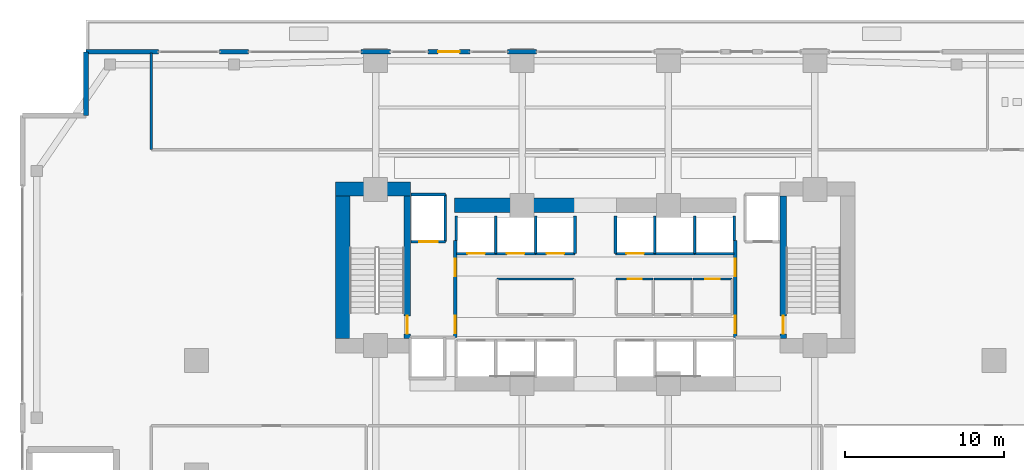
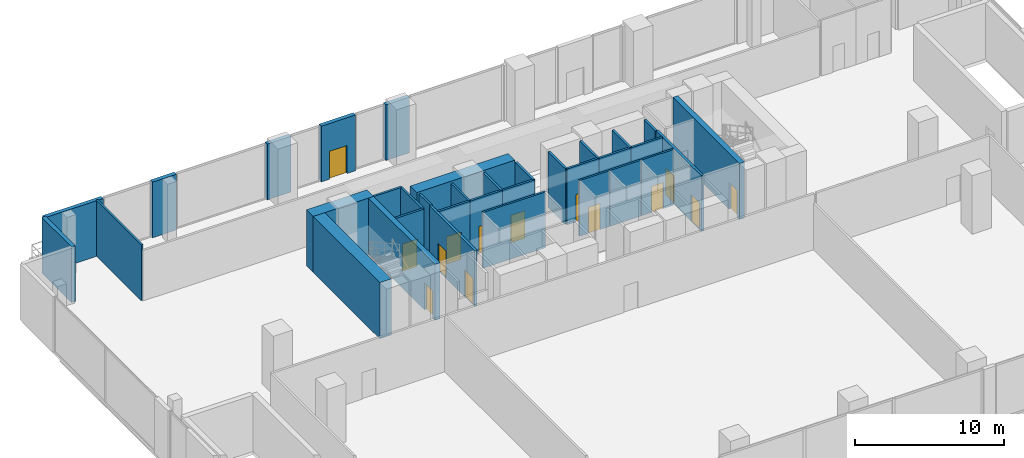
# One storey, part 22 of 28: 35 walls, 14 doors, 14 openings.
"""IFC4 building model written with IfcOpenShell, lengths in metres."""

from ifc_helpers import new_model, si_unit, direction, frame, frame_2d, origin, place, context, subcontext, project, spatial, rectangle, extrude, material, layer, layer_set, type_object, element, fill, save


model = new_model("IFC4")

# Units and contexts
model_context = context("Model", 3, precision=1e-05, world=origin(), true_north=direction((0.0, 1.0)))
body_context = subcontext(model_context, "Body", "Model", "MODEL_VIEW")
ifc_project = project(units=[si_unit("LENGTHUNIT", "METRE"), si_unit("AREAUNIT", "SQUARE_METRE"), si_unit("VOLUMEUNIT", "CUBIC_METRE"), si_unit("PLANEANGLEUNIT", "RADIAN"), si_unit("MASSUNIT", "GRAM", prefix="KILO")], contexts=[model_context])

# Site, building, storey
site_placement = place(None, origin())
site = spatial("IfcSite", under=ifc_project, at=site_placement, CompositionType="ELEMENT")
building_placement = place(site_placement, origin())
building = spatial("IfcBuilding", under=site, at=building_placement, Name="Zuhayl Quay Hotel", CompositionType="ELEMENT")
storey_placement = place(building_placement, frame((0.0, 0.0, 22.800048828125)))
storey = spatial("IfcBuildingStorey", under=building, at=storey_placement, Name="L04", CompositionType="ELEMENT", Elevation=22.800048828125)

# Walls
ifc_material_1 = material(Name="Concrete C70/85", Category="concrete")
ifc_layer_1 = layer(ifc_material_1, 0.89990234375, Name="Concrete C70/85", Category="concrete")
ifc_layer_set_1 = layer_set([ifc_layer_1], Name="Concrete C70/85")
wall_type_1 = type_object("IfcWallType", Name="WL_CORE_900", PredefinedType="SHEAR", material=ifc_layer_set_1)
wall_1_placement = place(storey_placement, frame((-16.31005859375, 14.3798828125, 0.0), z_axis=(0.0, 0.0, 1.0), x_axis=(1.0, 0.0, 0.0)))
element("IfcWall", 1, at=wall_1_placement, inside=storey, type_object=wall_type_1, Name="L04 Core Shear Wall CW_NW", PredefinedType="SHEAR", context=body_context, shape_type="SweptSolid", body=[
    extrude(rectangle(XDim=4.7099609375, YDim=0.89990234375, at=frame_2d((2.35498046875, 0.0))), origin(), (0.0, 0.0, 1.0), 4.60986328125),
])
wall_2_placement = place(storey_placement, frame((-15.860107421875, 4.969970703125, 0.0), z_axis=(0.0, 0.0, 1.0), x_axis=(0.0, 1.0, 0.0)))
element("IfcWall", 2, at=wall_2_placement, inside=storey, type_object=wall_type_1, Name="L04 Core Shear Wall CW_W", PredefinedType="SHEAR", context=body_context, shape_type="SweptSolid", body=[
    extrude(rectangle(XDim=8.9599609375, YDim=0.89990234375, at=frame_2d((4.47998046875, 0.0))), origin(), (0.0, 0.0, 1.0), 4.60986328125),
])
wall_3_placement = place(storey_placement, frame((-8.85009765625, 13.35009765625, 0.0), z_axis=(0.0, 0.0, 1.0), x_axis=(1.0, 0.0, 0.0)))
element("IfcWall", 3, at=wall_3_placement, inside=storey, type_object=wall_type_1, Name="L04 Core Shear Wall CW_NC_W", PredefinedType="SHEAR", context=body_context, shape_type="SweptSolid", body=[
    extrude(rectangle(XDim=7.60009765625, YDim=0.89990234375, at=frame_2d((3.800048828125, 0.0))), origin(), (0.0, 0.0, 1.0), 4.579833984375),
])
ifc_material_2 = material(Name="Precast concrete C45/55", Category="concrete")
ifc_layer_2 = layer(ifc_material_2, 0.300048828125, Name="Precast concrete C45/55", Category="concrete")
ifc_layer_set_2 = layer_set([ifc_layer_2], Name="Precast concrete C45/55")
wall_type_2 = type_object("IfcWallType", Name="WL_EXT_300", PredefinedType="STANDARD", material=ifc_layer_set_2)
wall_4_placement = place(storey_placement, frame((-32.0, 19.0, 0.0), z_axis=(0.0, 0.0, 1.0), x_axis=(0.0, 1.0, 0.0)))
element("IfcWall", 4, at=wall_4_placement, inside=storey, type_object=wall_type_2, Name="L04 Exterior Precast Wall ENV_L04_EW04", PredefinedType="STANDARD", context=body_context, shape_type="SweptSolid", body=[
    extrude(rectangle(XDim=4.0, YDim=0.300048828125, at=frame_2d((2.0, 0.0))), origin(), (0.0, 0.0, 1.0), 4.579833984375),
])
wall_5_placement = place(storey_placement, frame((-32.0, 23.0, 0.0), z_axis=(0.0, 0.0, 1.0), x_axis=(1.0, 0.0, 0.0)))
element("IfcWall", 5, at=wall_5_placement, inside=storey, type_object=wall_type_2, Name="L04 Exterior Precast Wall ENV_L04_E05_EW1", PredefinedType="STANDARD", context=body_context, shape_type="SweptSolid", body=[
    extrude(rectangle(XDim=4.550048828125, YDim=0.300048828125, at=frame_2d((2.27490234375, 0.0))), origin(), (0.0, 0.0, 1.0), 4.579833984375),
])
for number, where, z_axis, x_axis, name in (
    (6, (-23.6201171875, 23.0, 0.0), (0.0, 0.0, 1.0), (1.0, 0.0, 0.0), "L04 Exterior Precast Wall ENV_L04_E05_EW2"),
    (7, (-14.719970703125, 23.0, 0.0), (0.0, 0.0, 1.0), (1.0, 0.0, 0.0), "L04 Exterior Precast Wall ENV_L04_E05_EW3"),
):
    element("IfcWall", number, at=place(storey_placement, frame(where, z_axis=z_axis, x_axis=x_axis)), inside=storey, type_object=wall_type_2, Name=name, PredefinedType="STANDARD", context=body_context, shape_type="SweptSolid", body=[
        extrude(rectangle(XDim=1.840087890625, YDim=0.300048828125, at=frame_2d((0.919921875, 0.0))), origin(), (0.0, 0.0, 1.0), 4.579833984375),
    ])

# Wall, opening, door
wall_6_placement = place(storey_placement, frame((-10.52490234375, 23.0, 0.0), z_axis=(0.0, 0.0, 1.0), x_axis=(1.0, 0.0, 0.0)))
wall_6 = element("IfcWall", 8, at=wall_6_placement, inside=storey, type_object=wall_type_2, Name="L04 Exterior Precast Wall ENV_L04_E05_EW4", PredefinedType="STANDARD", context=body_context, shape_type="SweptSolid", body=[
    extrude(rectangle(XDim=2.64990234375, YDim=0.300048828125, at=frame_2d((1.324951171875, 0.0))), origin(), (0.0, 0.0, 1.0), 4.579833984375),
])
opening_1_placement = place(wall_6_placement, frame((0.64990234375, 0.0, 0.0)))
opening_1 = element("IfcOpeningElement", 9, at=opening_1_placement, cuts=wall_6, Name="Opening DG2", PredefinedType="OPENING", context=body_context, shape_type="SweptSolid", body=[
    extrude(rectangle(XDim=1.35009765625, YDim=2.300048828125, at=frame_2d((0.675048828125, 1.14990234375))), frame((0.0, 0.159912109375, 0.0), z_axis=(0.0, -1.0, 0.0), x_axis=(1.0, 0.0, 0.0)), (0.0, 0.0, 1.0), 0.320068359375),
])
ifc_material_3 = material(Name="Anodised Aluminium and Dark Solar Glass", Category="aluminium")
door_type_1 = type_object("IfcDoorType", Name="DR_EXT_TERR_1350", OperationType="NOTDEFINED", PredefinedType="DOOR", material=ifc_material_3)
door_1_placement = place(opening_1_placement, origin())
door_1 = element("IfcDoor", 10, at=door_1_placement, inside=storey, type_object=door_type_1, Name="L04 Waterfront Terrace Door West", OperationType="SINGLE_SWING_LEFT", OverallHeight=2.300048828125, OverallWidth=1.35009765625, PredefinedType="DOOR", context=body_context, shape_type="SweptSolid", body=[
    extrude(rectangle(XDim=1.35009765625, YDim=2.300048828125, at=frame_2d((0.675048828125, 1.14990234375))), frame((0.0, 0.02490234375, 0.0), z_axis=(0.0, -1.0, 0.0), x_axis=(1.0, 0.0, 0.0)), (0.0, 0.0, 1.0), 0.050048828125),
])
fill(opening_1, door_1)

# Wall
wall_7_placement = place(storey_placement, frame((-5.52001953125, 23.0, 0.0), z_axis=(0.0, 0.0, 1.0), x_axis=(1.0, 0.0, 0.0)))
element("IfcWall", 11, at=wall_7_placement, inside=storey, type_object=wall_type_2, Name="L04 Exterior Precast Wall ENV_L04_E05_EW5", PredefinedType="STANDARD", context=body_context, shape_type="SweptSolid", body=[
    extrude(rectangle(XDim=1.840087890625, YDim=0.300048828125, at=frame_2d((0.919921875, 0.0))), origin(), (0.0, 0.0, 1.0), 4.579833984375),
])

# Wall, opening, door
ifc_material_4 = material(Name="Acoustic Gypsum Partition STC-58")
ifc_layer_3 = layer(ifc_material_4, 0.14990234375, Name="Acoustic Gypsum Partition STC-58")
ifc_layer_set_3 = layer_set([ifc_layer_3], Name="Acoustic Gypsum Partition STC-58")
wall_type_3 = type_object("IfcWallType", Name="WL_PART_150", PredefinedType="PARTITIONING", material=ifc_layer_set_3)
wall_8_placement = place(storey_placement, frame((1.320068359375, 8.719970703125, 0.0), z_axis=(0.0, 0.0, 1.0), x_axis=(1.0, 0.0, 0.0)))
wall_8 = element("IfcWall", 12, at=wall_8_placement, inside=storey, type_object=wall_type_3, Name="L04 Partition IW_L04_CORE_E1_N", PredefinedType="PARTITIONING", context=body_context, shape_type="SweptSolid", body=[
    extrude(rectangle(XDim=2.31982421875, YDim=0.14990234375, at=frame_2d((1.159912109375, 0.0))), origin(), (0.0, 0.0, 1.0), 4.579833984375),
])
opening_2_placement = place(wall_8_placement, frame((0.7099609375, 0.0, 0.0)))
opening_2 = element("IfcOpeningElement", 13, at=opening_2_placement, cuts=wall_8, Name="Opening D06", PredefinedType="OPENING", context=body_context, shape_type="SweptSolid", body=[
    extrude(rectangle(XDim=0.89990234375, YDim=2.14990234375, at=frame_2d((0.449951171875, 1.074951171875))), frame((0.0, 0.0849609375, 0.0), z_axis=(0.0, -1.0, 0.0), x_axis=(1.0, 0.0, 0.0)), (0.0, 0.0, 1.0), 0.169921875),
])
ifc_material_5 = material(Name="Steel ASTM A992 Grade 50", Category="steel")
door_type_2 = type_object("IfcDoorType", Name="DR_INT_900", OperationType="NOTDEFINED", PredefinedType="DOOR", material=ifc_material_5)
door_2_placement = place(opening_2_placement, origin())
door_2 = element("IfcDoor", 14, at=door_2_placement, inside=storey, type_object=door_type_2, Name="L04 Floor Electrical Closet Door", OperationType="SINGLE_SWING_RIGHT", OverallHeight=2.14990234375, OverallWidth=0.89990234375, PredefinedType="DOOR", context=body_context, shape_type="SweptSolid", body=[
    extrude(rectangle(XDim=0.89990234375, YDim=2.14990234375, at=frame_2d((0.449951171875, 1.074951171875))), frame((0.0, 0.02490234375, 0.0), z_axis=(0.0, -1.0, 0.0), x_axis=(1.0, 0.0, 0.0)), (0.0, 0.0, 1.0), 0.050048828125),
])
fill(opening_2, door_2)

wall_9_placement = place(storey_placement, frame((6.139892578125, 8.719970703125, 0.0), z_axis=(0.0, 0.0, 1.0), x_axis=(1.0, 0.0, 0.0)))
wall_9 = element("IfcWall", 15, at=wall_9_placement, inside=storey, type_object=wall_type_3, Name="L04 Partition IW_L04_CORE_E3_N", PredefinedType="PARTITIONING", context=body_context, shape_type="SweptSolid", body=[
    extrude(rectangle(XDim=2.47021484375, YDim=0.14990234375, at=frame_2d((1.235107421875, 0.0))), origin(), (0.0, 0.0, 1.0), 4.579833984375),
])
opening_3_placement = place(wall_9_placement, frame((0.784912109375, 0.0, 0.0)))
opening_3 = element("IfcOpeningElement", 16, at=opening_3_placement, cuts=wall_9, Name="Opening D06", PredefinedType="OPENING", context=body_context, shape_type="SweptSolid", body=[
    extrude(rectangle(XDim=0.89990234375, YDim=2.14990234375, at=frame_2d((0.449951171875, 1.074951171875))), frame((0.0, 0.0849609375, 0.0), z_axis=(0.0, -1.0, 0.0), x_axis=(1.0, 0.0, 0.0)), (0.0, 0.0, 1.0), 0.169921875),
])
door_3_placement = place(opening_3_placement, origin())
door_3 = element("IfcDoor", 17, at=door_3_placement, inside=storey, type_object=door_type_2, Name="L04 Janitor and Cleaners Store Door", OperationType="SINGLE_SWING_RIGHT", OverallHeight=2.14990234375, OverallWidth=0.89990234375, PredefinedType="DOOR", context=body_context, shape_type="SweptSolid", body=[
    extrude(rectangle(XDim=0.89990234375, YDim=2.14990234375, at=frame_2d((0.449951171875, 1.074951171875))), frame((0.0, 0.02490234375, 0.0), z_axis=(0.0, -1.0, 0.0), x_axis=(1.0, 0.0, 0.0)), (0.0, 0.0, 1.0), 0.050048828125),
])
fill(opening_3, door_3)

# Walls
wall_10_placement = place(storey_placement, frame((-6.159912109375, 8.719970703125, 0.0), z_axis=(0.0, 0.0, 1.0), x_axis=(1.0, 0.0, 0.0)))
element("IfcWall", 18, at=wall_10_placement, inside=storey, type_object=wall_type_3, Name="L04 Partition IW_L04_CORE_SV_N", PredefinedType="PARTITIONING", context=body_context, shape_type="SweptSolid", body=[
    extrude(rectangle(XDim=4.83984375, YDim=0.14990234375, at=frame_2d((2.419921875, 0.0))), origin(), (0.0, 0.0, 1.0), 4.579833984375),
])
wall_11_placement = place(storey_placement, frame((3.699951171875, 8.719970703125, 0.0), z_axis=(0.0, 0.0, 1.0), x_axis=(1.0, 0.0, 0.0)))
element("IfcWall", 19, at=wall_11_placement, inside=storey, type_object=wall_type_3, Name="L04 Partition IW_L04_CORE_E2_N", PredefinedType="PARTITIONING", context=body_context, shape_type="SweptSolid", body=[
    extrude(rectangle(XDim=2.380126953125, YDim=0.14990234375, at=frame_2d((1.18994140625, 0.0))), origin(), (0.0, 0.0, 1.0), 4.579833984375),
])
wall_12_placement = place(storey_placement, frame((-27.89990234375, 16.85009765625, 0.0), z_axis=(0.0, 0.0, 1.0), x_axis=(0.0, 1.0, 0.0)))
element("IfcWall", 20, at=wall_12_placement, inside=storey, type_object=wall_type_3, Name="L04 Partition IW_L04_TERR_LOUNGE_W", PredefinedType="PARTITIONING", context=body_context, shape_type="SweptSolid", body=[
    extrude(rectangle(XDim=6.08984375, YDim=0.14990234375, at=frame_2d((3.044921875, 0.0))), origin(), (0.0, 0.0, 1.0), 4.579833984375),
])

# Wall, opening, door
ifc_material_6 = material(Name="Gypsum Fireboard Assembly EI-90")
ifc_layer_4 = layer(ifc_material_6, 0.1650390625, Name="Gypsum Fireboard Assembly EI-90")
ifc_layer_set_4 = layer_set([ifc_layer_4], Name="Gypsum Fireboard Assembly EI-90")
wall_type_4 = type_object("IfcWallType", Name="WL_PART_SHAFT_160", PredefinedType="PARTITIONING", material=ifc_layer_set_4)
wall_13_placement = place(storey_placement, frame((-11.580078125, 11.070068359375, 0.0), z_axis=(0.0, 0.0, 1.0), x_axis=(1.0, 0.0, 0.0)))
wall_13 = element("IfcWall", 21, at=wall_13_placement, inside=storey, type_object=wall_type_4, Name="L04 Partition IW_L04_SH_FL1_F", PredefinedType="PARTITIONING", context=body_context, shape_type="SweptSolid", body=[
    extrude(rectangle(XDim=2.16015625, YDim=0.1650390625, at=frame_2d((1.080078125, 0.0))), origin(), (0.0, 0.0, 1.0), 4.579833984375),
])
opening_4_placement = place(wall_13_placement, frame((0.530029296875, 0.0, 0.0)))
opening_4 = element("IfcOpeningElement", 22, at=opening_4_placement, cuts=wall_13, Name="Opening LD2", PredefinedType="OPENING", context=body_context, shape_type="SweptSolid", body=[
    extrude(rectangle(XDim=1.14990234375, YDim=2.25, at=frame_2d((0.574951171875, 1.125))), frame((0.0, 0.092529296875, 0.0), z_axis=(0.0, -1.0, 0.0), x_axis=(1.0, 0.0, 0.0)), (0.0, 0.0, 1.0), 0.18505859375),
])
ifc_material_7 = material(Name="Brushed Stainless Steel", Category="steel")
door_type_3 = type_object("IfcDoorType", Name="DR_LIFT_FF_1100", OperationType="SLIDING_TO_LEFT", PredefinedType="DOOR", material=ifc_material_7)
door_4_placement = place(opening_4_placement, origin())
door_4 = element("IfcDoor", 23, at=door_4_placement, inside=storey, type_object=door_type_3, Name="L04 Lift FL1 Sliding Landing Door", OperationType="SLIDING_TO_LEFT", OverallHeight=2.25, OverallWidth=1.14990234375, PredefinedType="DOOR", context=body_context, shape_type="SweptSolid", body=[
    extrude(rectangle(XDim=1.14990234375, YDim=2.25, at=frame_2d((0.574951171875, 1.125))), frame((0.0, 0.02490234375, 0.0), z_axis=(0.0, -1.0, 0.0), x_axis=(1.0, 0.0, 0.0)), (0.0, 0.0, 1.0), 0.050048828125),
])
fill(opening_4, door_4)

wall_14_placement = place(storey_placement, frame((-8.72998046875, 10.320068359375, 0.0), z_axis=(0.0, 0.0, 1.0), x_axis=(1.0, 0.0, 0.0)))
wall_14 = element("IfcWall", 24, at=wall_14_placement, inside=storey, type_object=wall_type_4, Name="L04 Partition IW_L04_SH_LP3_F", PredefinedType="PARTITIONING", context=body_context, shape_type="SweptSolid", body=[
    extrude(rectangle(XDim=2.47998046875, YDim=0.1650390625, at=frame_2d((1.239990234375, 0.0))), origin(), (0.0, 0.0, 1.0), 4.579833984375),
])
opening_5_placement = place(wall_14_placement, frame((0.68994140625, 0.0, 0.0)))
opening_5 = element("IfcOpeningElement", 25, at=opening_5_placement, cuts=wall_14, Name="Opening LD1", PredefinedType="OPENING", context=body_context, shape_type="SweptSolid", body=[
    extrude(rectangle(XDim=1.10009765625, YDim=2.25, at=frame_2d((0.550048828125, 1.125))), frame((0.0, 0.092529296875, 0.0), z_axis=(0.0, -1.0, 0.0), x_axis=(1.0, 0.0, 0.0)), (0.0, 0.0, 1.0), 0.18505859375),
])
door_type_4 = type_object("IfcDoorType", Name="DR_LIFT_PASS_1100", OperationType="SLIDING_TO_LEFT", PredefinedType="DOOR", material=ifc_material_7)
door_5_placement = place(opening_5_placement, origin())
door_5 = element("IfcDoor", 26, at=door_5_placement, inside=storey, type_object=door_type_4, Name="L04 Lift LP3 Sliding Landing Door", OperationType="SLIDING_TO_LEFT", OverallHeight=2.25, OverallWidth=1.10009765625, PredefinedType="DOOR", context=body_context, shape_type="SweptSolid", body=[
    extrude(rectangle(XDim=1.10009765625, YDim=2.25, at=frame_2d((0.550048828125, 1.125))), frame((0.0, 0.02490234375, 0.0), z_axis=(0.0, -1.0, 0.0), x_axis=(1.0, 0.0, 0.0)), (0.0, 0.0, 1.0), 0.050048828125),
])
fill(opening_5, door_5)

wall_15_placement = place(storey_placement, frame((-6.25, 10.320068359375, 0.0), z_axis=(0.0, 0.0, 1.0), x_axis=(1.0, 0.0, 0.0)))
wall_15 = element("IfcWall", 27, at=wall_15_placement, inside=storey, type_object=wall_type_4, Name="L04 Partition IW_L04_SH_LP4_F", PredefinedType="PARTITIONING", context=body_context, shape_type="SweptSolid", body=[
    extrude(rectangle(XDim=2.5, YDim=0.1650390625, at=frame_2d((1.25, 0.0))), origin(), (0.0, 0.0, 1.0), 4.579833984375),
])
opening_6_placement = place(wall_15_placement, frame((0.699951171875, 0.0, 0.0)))
opening_6 = element("IfcOpeningElement", 28, at=opening_6_placement, cuts=wall_15, Name="Opening LD1", PredefinedType="OPENING", context=body_context, shape_type="SweptSolid", body=[
    extrude(rectangle(XDim=1.10009765625, YDim=2.25, at=frame_2d((0.550048828125, 1.125))), frame((0.0, 0.092529296875, 0.0), z_axis=(0.0, -1.0, 0.0), x_axis=(1.0, 0.0, 0.0)), (0.0, 0.0, 1.0), 0.18505859375),
])
door_6_placement = place(opening_6_placement, origin())
door_6 = element("IfcDoor", 29, at=door_6_placement, inside=storey, type_object=door_type_4, Name="L04 Lift LP4 Sliding Landing Door", OperationType="SLIDING_TO_LEFT", OverallHeight=2.25, OverallWidth=1.10009765625, PredefinedType="DOOR", context=body_context, shape_type="SweptSolid", body=[
    extrude(rectangle(XDim=1.10009765625, YDim=2.25, at=frame_2d((0.550048828125, 1.125))), frame((0.0, 0.02490234375, 0.0), z_axis=(0.0, -1.0, 0.0), x_axis=(1.0, 0.0, 0.0)), (0.0, 0.0, 1.0), 0.050048828125),
])
fill(opening_6, door_6)

wall_16_placement = place(storey_placement, frame((-3.75, 10.320068359375, 0.0), z_axis=(0.0, 0.0, 1.0), x_axis=(1.0, 0.0, 0.0)))
wall_16 = element("IfcWall", 30, at=wall_16_placement, inside=storey, type_object=wall_type_4, Name="L04 Partition IW_L04_SH_MP3_F", PredefinedType="PARTITIONING", context=body_context, shape_type="SweptSolid", body=[
    extrude(rectangle(XDim=2.47998046875, YDim=0.1650390625, at=frame_2d((1.239990234375, 0.0))), origin(), (0.0, 0.0, 1.0), 4.579833984375),
])
opening_7_placement = place(wall_16_placement, frame((0.68994140625, 0.0, 0.0)))
opening_7 = element("IfcOpeningElement", 31, at=opening_7_placement, cuts=wall_16, Name="Opening LD1", PredefinedType="OPENING", context=body_context, shape_type="SweptSolid", body=[
    extrude(rectangle(XDim=1.10009765625, YDim=2.25, at=frame_2d((0.550048828125, 1.125))), frame((0.0, 0.092529296875, 0.0), z_axis=(0.0, -1.0, 0.0), x_axis=(1.0, 0.0, 0.0)), (0.0, 0.0, 1.0), 0.18505859375),
])
door_7_placement = place(opening_7_placement, origin())
door_7 = element("IfcDoor", 32, at=door_7_placement, inside=storey, type_object=door_type_4, Name="L04 Lift MP3 Sliding Landing Door", OperationType="SLIDING_TO_LEFT", OverallHeight=2.25, OverallWidth=1.10009765625, PredefinedType="DOOR", context=body_context, shape_type="SweptSolid", body=[
    extrude(rectangle(XDim=1.10009765625, YDim=2.25, at=frame_2d((0.550048828125, 1.125))), frame((0.0, 0.02490234375, 0.0), z_axis=(0.0, -1.0, 0.0), x_axis=(1.0, 0.0, 0.0)), (0.0, 0.0, 1.0), 0.050048828125),
])
fill(opening_7, door_7)

wall_17_placement = place(storey_placement, frame((1.27001953125, 10.320068359375, 0.0), z_axis=(0.0, 0.0, 1.0), x_axis=(1.0, 0.0, 0.0)))
wall_17 = element("IfcWall", 33, at=wall_17_placement, inside=storey, type_object=wall_type_4, Name="L04 Partition IW_L04_SH_MP4_F", PredefinedType="PARTITIONING", context=body_context, shape_type="SweptSolid", body=[
    extrude(rectangle(XDim=2.47998046875, YDim=0.1650390625, at=frame_2d((1.239990234375, 0.0))), origin(), (0.0, 0.0, 1.0), 4.579833984375),
])
opening_8_placement = place(wall_17_placement, frame((0.68994140625, 0.0, 0.0)))
opening_8 = element("IfcOpeningElement", 34, at=opening_8_placement, cuts=wall_17, Name="Opening LD1", PredefinedType="OPENING", context=body_context, shape_type="SweptSolid", body=[
    extrude(rectangle(XDim=1.10009765625, YDim=2.25, at=frame_2d((0.550048828125, 1.125))), frame((0.0, 0.092529296875, 0.0), z_axis=(0.0, -1.0, 0.0), x_axis=(1.0, 0.0, 0.0)), (0.0, 0.0, 1.0), 0.18505859375),
])
door_8_placement = place(opening_8_placement, origin())
door_8 = element("IfcDoor", 35, at=door_8_placement, inside=storey, type_object=door_type_4, Name="L04 Lift MP4 Sliding Landing Door", OperationType="SLIDING_TO_LEFT", OverallHeight=2.25, OverallWidth=1.10009765625, PredefinedType="DOOR", context=body_context, shape_type="SweptSolid", body=[
    extrude(rectangle(XDim=1.10009765625, YDim=2.25, at=frame_2d((0.550048828125, 1.125))), frame((0.0, 0.02490234375, 0.0), z_axis=(0.0, -1.0, 0.0), x_axis=(1.0, 0.0, 0.0)), (0.0, 0.0, 1.0), 0.050048828125),
])
fill(opening_8, door_8)

# Walls
wall_18_placement = place(storey_placement, frame((-9.419921875, 11.070068359375, 0.0), z_axis=(0.0, 0.0, 1.0), x_axis=(0.0, 1.0, 0.0)))
element("IfcWall", 36, at=wall_18_placement, inside=storey, type_object=wall_type_4, Name="L04 Partition IW_L04_SH_FL1_E", PredefinedType="PARTITIONING", context=body_context, shape_type="SweptSolid", body=[
    extrude(rectangle(XDim=2.9599609375, YDim=0.1650390625, at=frame_2d((1.47998046875, 0.0))), origin(), (0.0, 0.0, 1.0), 4.579833984375),
])
wall_19_placement = place(storey_placement, frame((-11.580078125, 14.030029296875, 0.0), z_axis=(0.0, 0.0, 1.0), x_axis=(1.0, 0.0, 0.0)))
element("IfcWall", 37, at=wall_19_placement, inside=storey, type_object=wall_type_4, Name="L04 Partition IW_L04_SH_FL1_B", PredefinedType="PARTITIONING", context=body_context, shape_type="SweptSolid", body=[
    extrude(rectangle(XDim=2.16015625, YDim=0.1650390625, at=frame_2d((1.080078125, 0.0))), origin(), (0.0, 0.0, 1.0), 4.579833984375),
])
wall_20_placement = place(storey_placement, frame((-8.72998046875, 11.14990234375, 0.0), z_axis=(0.0, 0.0, 1.0), x_axis=(0.0, 1.0, 0.0)))
element("IfcWall", 38, at=wall_20_placement, inside=storey, type_object=wall_type_4, Name="L04 Partition IW_L04_SH_LP3_W", PredefinedType="PARTITIONING", context=body_context, shape_type="SweptSolid", body=[
    extrude(rectangle(XDim=1.530029296875, YDim=0.1650390625, at=frame_2d((0.76513671875, 0.0))), origin(), (0.0, 0.0, 1.0), 4.579833984375),
])
for number, where, z_axis, x_axis, name in (
    (39, (-6.25, 10.320068359375, 0.0), (0.0, 0.0, 1.0), (0.0, 1.0, 0.0), "L04 Partition IW_L04_SH_LP3_E"),
    (40, (-3.75, 10.320068359375, 0.0), (0.0, 0.0, 1.0), (0.0, 1.0, 0.0), "L04 Partition IW_L04_SH_LP4_E"),
    (41, (-1.27001953125, 10.320068359375, 0.0), (0.0, 0.0, 1.0), (0.0, 1.0, 0.0), "L04 Partition IW_L04_SH_MP3_E"),
    (42, (1.27001953125, 10.320068359375, 0.0), (0.0, 0.0, 1.0), (0.0, 1.0, 0.0), "L04 Partition IW_L04_SH_MP4_W"),
    (43, (3.75, 10.320068359375, 0.0), (0.0, 0.0, 1.0), (0.0, 1.0, 0.0), "L04 Partition IW_L04_SH_MP4_E"),
):
    element("IfcWall", number, at=place(storey_placement, frame(where, z_axis=z_axis, x_axis=x_axis)), inside=storey, type_object=wall_type_4, Name=name, PredefinedType="PARTITIONING", context=body_context, shape_type="SweptSolid", body=[
        extrude(rectangle(XDim=2.35986328125, YDim=0.1650390625, at=frame_2d((1.179931640625, 0.0))), origin(), (0.0, 0.0, 1.0), 4.579833984375),
    ])
wall_21_placement = place(storey_placement, frame((3.75, 10.320068359375, 0.0), z_axis=(0.0, 0.0, 1.0), x_axis=(1.0, 0.0, 0.0)))
element("IfcWall", 44, at=wall_21_placement, inside=storey, type_object=wall_type_4, Name="L04 Partition IW_L04_SH_HP3_F", PredefinedType="PARTITIONING", context=body_context, shape_type="SweptSolid", body=[
    extrude(rectangle(XDim=2.5, YDim=0.1650390625, at=frame_2d((1.25, 0.0))), origin(), (0.0, 0.0, 1.0), 4.579833984375),
])
wall_22_placement = place(storey_placement, frame((6.25, 10.320068359375, 0.0), z_axis=(0.0, 0.0, 1.0), x_axis=(0.0, 1.0, 0.0)))
element("IfcWall", 45, at=wall_22_placement, inside=storey, type_object=wall_type_4, Name="L04 Partition IW_L04_SH_HP3_E", PredefinedType="PARTITIONING", context=body_context, shape_type="SweptSolid", body=[
    extrude(rectangle(XDim=2.35986328125, YDim=0.1650390625, at=frame_2d((1.179931640625, 0.0))), origin(), (0.0, 0.0, 1.0), 4.579833984375),
])
wall_23_placement = place(storey_placement, frame((6.25, 10.320068359375, 0.0), z_axis=(0.0, 0.0, 1.0), x_axis=(1.0, 0.0, 0.0)))
element("IfcWall", 46, at=wall_23_placement, inside=storey, type_object=wall_type_4, Name="L04 Partition IW_L04_SH_HP4_F", PredefinedType="PARTITIONING", context=body_context, shape_type="SweptSolid", body=[
    extrude(rectangle(XDim=2.47998046875, YDim=0.1650390625, at=frame_2d((1.239990234375, 0.0))), origin(), (0.0, 0.0, 1.0), 4.579833984375),
])
wall_24_placement = place(storey_placement, frame((8.72998046875, 11.14990234375, 0.0), z_axis=(0.0, 0.0, 1.0), x_axis=(0.0, 1.0, 0.0)))
element("IfcWall", 47, at=wall_24_placement, inside=storey, type_object=wall_type_4, Name="L04 Partition IW_L04_SH_HP4_E", PredefinedType="PARTITIONING", context=body_context, shape_type="SweptSolid", body=[
    extrude(rectangle(XDim=1.530029296875, YDim=0.1650390625, at=frame_2d((0.76513671875, 0.0))), origin(), (0.0, 0.0, 1.0), 4.579833984375),
])

# Wall, openings, doors
ifc_material_8 = material(Name="Gypsum Fireboard Assembly EI-120")
ifc_layer_5 = layer(ifc_material_8, 0.199951171875, Name="Gypsum Fireboard Assembly EI-120")
ifc_layer_set_5 = layer_set([ifc_layer_5], Name="Gypsum Fireboard Assembly EI-120")
wall_type_5 = type_object("IfcWallType", Name="WL_PART_SHAFT_200", PredefinedType="PARTITIONING", material=ifc_layer_set_5)
wall_25_placement = place(storey_placement, frame((-8.800048828125, 5.050048828125, 0.0), z_axis=(0.0, 0.0, 1.0), x_axis=(0.0, 1.0, 0.0)))
wall_25 = element("IfcWall", 48, at=wall_25_placement, inside=storey, type_object=wall_type_5, Name="L04 Partition IW_L04_FSAE_W_E", PredefinedType="PARTITIONING", context=body_context, shape_type="SweptSolid", body=[
    extrude(rectangle(XDim=6.099853515625, YDim=0.199951171875, at=frame_2d((3.0498046875, 0.0))), origin(), (0.0, 0.0, 1.0), 4.579833984375),
])
opening_9_placement = place(wall_25_placement, frame((0.25, 0.0, 0.0)))
opening_9 = element("IfcOpeningElement", 49, at=opening_9_placement, cuts=wall_25, Name="Opening D02", PredefinedType="OPENING", context=body_context, shape_type="SweptSolid", body=[
    extrude(rectangle(XDim=1.10009765625, YDim=2.199951171875, at=frame_2d((0.550048828125, 1.10009765625))), frame((0.0, 0.10986328125, 0.0), z_axis=(0.0, -1.0, 0.0), x_axis=(1.0, 0.0, 0.0)), (0.0, 0.0, 1.0), 0.219970703125),
])
opening_10_placement = place(wall_25_placement, frame((3.85009765625, 0.0, 0.0)))
opening_10 = element("IfcOpeningElement", 50, at=opening_10_placement, cuts=wall_25, Name="Opening D02", PredefinedType="OPENING", context=body_context, shape_type="SweptSolid", body=[
    extrude(rectangle(XDim=1.10009765625, YDim=2.199951171875, at=frame_2d((0.550048828125, 1.10009765625))), frame((0.0, 0.10986328125, 0.0), z_axis=(0.0, -1.0, 0.0), x_axis=(1.0, 0.0, 0.0)), (0.0, 0.0, 1.0), 0.219970703125),
])
door_type_5 = type_object("IfcDoorType", Name="DR_FIRE_90_1100", OperationType="NOTDEFINED", PredefinedType="DOOR", material=ifc_material_5)
door_9_placement = place(opening_9_placement, origin())
door_9 = element("IfcDoor", 51, at=door_9_placement, inside=storey, type_object=door_type_5, Name="L04 FSAE Lobby West South Entry Door", OperationType="SINGLE_SWING_LEFT", OverallHeight=2.199951171875, OverallWidth=1.10009765625, PredefinedType="DOOR", context=body_context, shape_type="SweptSolid", body=[
    extrude(rectangle(XDim=1.10009765625, YDim=2.199951171875, at=frame_2d((0.550048828125, 1.10009765625))), frame((0.0, 0.02490234375, 0.0), z_axis=(0.0, -1.0, 0.0), x_axis=(1.0, 0.0, 0.0)), (0.0, 0.0, 1.0), 0.050048828125),
])
fill(opening_9, door_9)
door_10_placement = place(opening_10_placement, origin())
door_10 = element("IfcDoor", 52, at=door_10_placement, inside=storey, type_object=door_type_5, Name="L04 FSAE Lobby West North Entry Door", OperationType="SINGLE_SWING_RIGHT", OverallHeight=2.199951171875, OverallWidth=1.10009765625, PredefinedType="DOOR", context=body_context, shape_type="SweptSolid", body=[
    extrude(rectangle(XDim=1.10009765625, YDim=2.199951171875, at=frame_2d((0.550048828125, 1.10009765625))), frame((0.0, 0.02490234375, 0.0), z_axis=(0.0, -1.0, 0.0), x_axis=(1.0, 0.0, 0.0)), (0.0, 0.0, 1.0), 0.050048828125),
])
fill(opening_10, door_10)

wall_26_placement = place(storey_placement, frame((8.800048828125, 11.14990234375, 0.0), z_axis=(0.0, 0.0, 1.0), x_axis=(0.0, -1.0, 0.0)))
wall_26 = element("IfcWall", 53, at=wall_26_placement, inside=storey, type_object=wall_type_5, Name="L04 Partition IW_L04_FSAE_E_W", PredefinedType="PARTITIONING", context=body_context, shape_type="SweptSolid", body=[
    extrude(rectangle(XDim=6.099853515625, YDim=0.199951171875, at=frame_2d((3.0498046875, 0.0))), origin(), (0.0, 0.0, 1.0), 4.579833984375),
])
opening_11_placement = place(wall_26_placement, frame((1.14990234375, 0.0, 0.0)))
opening_11 = element("IfcOpeningElement", 54, at=opening_11_placement, cuts=wall_26, Name="Opening D02", PredefinedType="OPENING", context=body_context, shape_type="SweptSolid", body=[
    extrude(rectangle(XDim=1.10009765625, YDim=2.199951171875, at=frame_2d((0.550048828125, 1.10009765625))), frame((0.0, 0.10986328125, 0.0), z_axis=(0.0, -1.0, 0.0), x_axis=(1.0, 0.0, 0.0)), (0.0, 0.0, 1.0), 0.219970703125),
])
opening_12_placement = place(wall_26_placement, frame((4.75, 0.0, 0.0)))
opening_12 = element("IfcOpeningElement", 55, at=opening_12_placement, cuts=wall_26, Name="Opening D02", PredefinedType="OPENING", context=body_context, shape_type="SweptSolid", body=[
    extrude(rectangle(XDim=1.10009765625, YDim=2.199951171875, at=frame_2d((0.550048828125, 1.10009765625))), frame((0.0, 0.10986328125, 0.0), z_axis=(0.0, -1.0, 0.0), x_axis=(1.0, 0.0, 0.0)), (0.0, 0.0, 1.0), 0.219970703125),
])
door_11_placement = place(opening_11_placement, origin())
door_11 = element("IfcDoor", 56, at=door_11_placement, inside=storey, type_object=door_type_5, Name="L04 FSAE Lobby East North Entry Door", OperationType="SINGLE_SWING_LEFT", OverallHeight=2.199951171875, OverallWidth=1.10009765625, PredefinedType="DOOR", context=body_context, shape_type="SweptSolid", body=[
    extrude(rectangle(XDim=1.10009765625, YDim=2.199951171875, at=frame_2d((0.550048828125, 1.10009765625))), frame((0.0, 0.02490234375, 0.0), z_axis=(0.0, -1.0, 0.0), x_axis=(1.0, 0.0, 0.0)), (0.0, 0.0, 1.0), 0.050048828125),
])
fill(opening_11, door_11)
door_12_placement = place(opening_12_placement, origin())
door_12 = element("IfcDoor", 57, at=door_12_placement, inside=storey, type_object=door_type_5, Name="L04 FSAE Lobby East South Entry Door", OperationType="SINGLE_SWING_RIGHT", OverallHeight=2.199951171875, OverallWidth=1.10009765625, PredefinedType="DOOR", context=body_context, shape_type="SweptSolid", body=[
    extrude(rectangle(XDim=1.10009765625, YDim=2.199951171875, at=frame_2d((0.550048828125, 1.10009765625))), frame((0.0, 0.02490234375, 0.0), z_axis=(0.0, -1.0, 0.0), x_axis=(1.0, 0.0, 0.0)), (0.0, 0.0, 1.0), 0.050048828125),
])
fill(opening_12, door_12)

# Wall, opening, door
ifc_material_9 = material(Name="Concrete C60/75", Category="concrete")
ifc_layer_6 = layer(ifc_material_9, 0.39990234375, Name="Concrete C60/75", Category="concrete")
ifc_layer_set_6 = layer_set([ifc_layer_6], Name="Concrete C60/75")
wall_type_6 = type_object("IfcWallType", Name="WL_STAIR_400", PredefinedType="SHEAR", material=ifc_layer_set_6)
wall_27_placement = place(storey_placement, frame((-11.820068359375, 4.969970703125, 0.0), z_axis=(0.0, 0.0, 1.0), x_axis=(0.0, 1.0, 0.0)))
wall_27 = element("IfcWall", 58, at=wall_27_placement, inside=storey, type_object=wall_type_6, Name="L04 Core Shear Wall SW_ST1", PredefinedType="SHEAR", context=body_context, shape_type="SweptSolid", body=[
    extrude(rectangle(XDim=8.9599609375, YDim=0.39990234375, at=frame_2d((4.47998046875, 0.0))), origin(), (0.0, 0.0, 1.0), 4.60986328125),
])
opening_13_placement = place(wall_27_placement, frame((0.31005859375, 0.0, 0.0)))
opening_13 = element("IfcOpeningElement", 59, at=opening_13_placement, cuts=wall_27, Name="Opening D01", PredefinedType="OPENING", context=body_context, shape_type="SweptSolid", body=[
    extrude(rectangle(XDim=1.1201171875, YDim=2.219970703125, at=frame_2d((0.56005859375, 1.10986328125))), frame((0.0, 0.2099609375, 0.0), z_axis=(0.0, -1.0, 0.0), x_axis=(1.0, 0.0, 0.0)), (0.0, 0.0, 1.0), 0.419921875),
])
door_type_6 = type_object("IfcDoorType", Name="DR_STAIR_90_1100", OperationType="NOTDEFINED", PredefinedType="DOOR", material=ifc_material_5)
door_13_placement = place(opening_13_placement, origin())
door_13 = element("IfcDoor", 60, at=door_13_placement, inside=storey, type_object=door_type_6, Name="L04 Smokeproof Exit Stair ST1 Door", OperationType="SINGLE_SWING_LEFT", OverallHeight=2.219970703125, OverallWidth=1.1201171875, PredefinedType="DOOR", context=body_context, shape_type="SweptSolid", body=[
    extrude(rectangle(XDim=1.1201171875, YDim=2.219970703125, at=frame_2d((0.56005859375, 1.10986328125))), frame((0.0, 0.02490234375, 0.0), z_axis=(0.0, -1.0, 0.0), x_axis=(1.0, 0.0, 0.0)), (0.0, 0.0, 1.0), 0.050048828125),
])
fill(opening_13, door_13)

wall_28_placement = place(storey_placement, frame((11.820068359375, 13.929931640625, 0.0), z_axis=(0.0, 0.0, 1.0), x_axis=(0.0, -1.0, 0.0)))
wall_28 = element("IfcWall", 61, at=wall_28_placement, inside=storey, type_object=wall_type_6, Name="L04 Core Shear Wall SW_ST2", PredefinedType="SHEAR", context=body_context, shape_type="SweptSolid", body=[
    extrude(rectangle(XDim=8.9599609375, YDim=0.39990234375, at=frame_2d((4.47998046875, 0.0))), origin(), (0.0, 0.0, 1.0), 4.60986328125),
])
opening_14_placement = place(wall_28_placement, frame((7.530029296875, 0.0, 0.0)))
opening_14 = element("IfcOpeningElement", 62, at=opening_14_placement, cuts=wall_28, Name="Opening D01", PredefinedType="OPENING", context=body_context, shape_type="SweptSolid", body=[
    extrude(rectangle(XDim=1.1201171875, YDim=2.219970703125, at=frame_2d((0.56005859375, 1.10986328125))), frame((0.0, 0.2099609375, 0.0), z_axis=(0.0, -1.0, 0.0), x_axis=(1.0, 0.0, 0.0)), (0.0, 0.0, 1.0), 0.419921875),
])
door_14_placement = place(opening_14_placement, origin())
door_14 = element("IfcDoor", 63, at=door_14_placement, inside=storey, type_object=door_type_6, Name="L04 Smokeproof Exit Stair ST2 Door", OperationType="SINGLE_SWING_RIGHT", OverallHeight=2.219970703125, OverallWidth=1.1201171875, PredefinedType="DOOR", context=body_context, shape_type="SweptSolid", body=[
    extrude(rectangle(XDim=1.1201171875, YDim=2.219970703125, at=frame_2d((0.56005859375, 1.10986328125))), frame((0.0, 0.02490234375, 0.0), z_axis=(0.0, -1.0, 0.0), x_axis=(1.0, 0.0, 0.0)), (0.0, 0.0, 1.0), 0.050048828125),
])
fill(opening_14, door_14)

save(model, "model.ifc")
